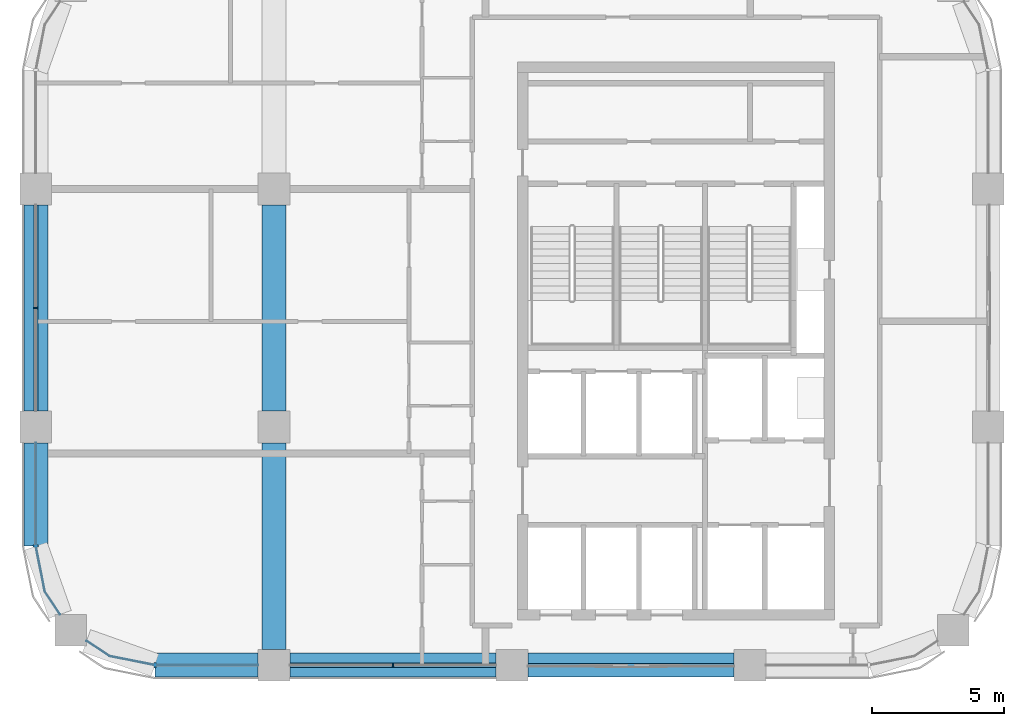
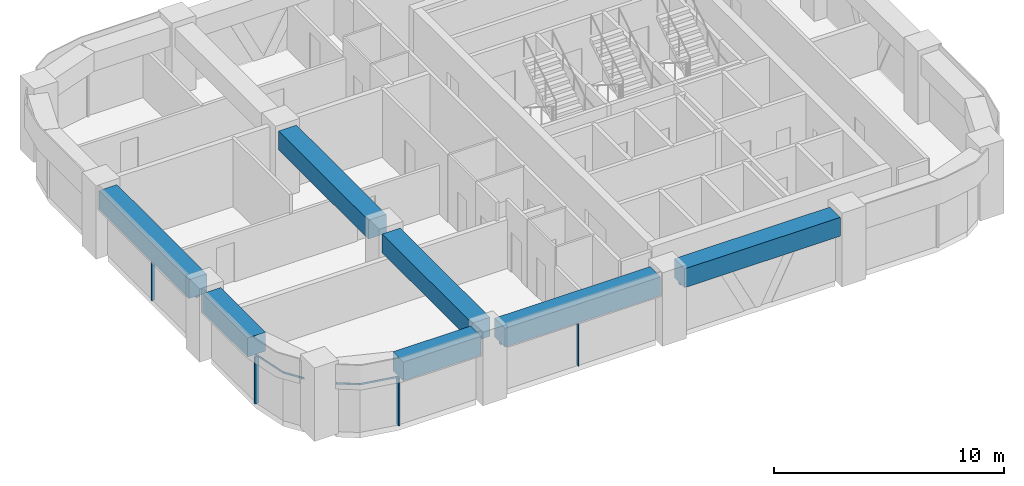
# One storey, part 2 of 10: 9 members, 7 beams, 5 elements without a shape of their own.
"""IFC4 building model written with IfcOpenShell, lengths in metres."""

import ifcopenshell
import ifcopenshell.guid

model = None  # the IFC model being written
_history = None  # IfcOwnerHistory: only IFC2X3 demands one
_inside = {}  # id of a spatial element -> (the spatial element, [elements in it])
_under = {}  # id of a project, library or spatial element -> (it, [spatial elements below it])
_declared = {}  # id of a project -> (the project, [libraries it declares])
_typed = {}  # id of a type object -> (the type object, [elements of that type])
_made_of = {}  # id of a material, layer set ... -> (it, [elements and type objects made of it])


def new_model(schema):
    """Start an empty IFC model of exactly this schema.

    Asked for "IFC4X3", IfcOpenShell would pick the latest addendum, in which some entities
    have other attributes; the version numbers below select the first issue.
    IFC2X3 requires an IfcOwnerHistory on every rooted entity: one is made here for all.
    """
    global model, _history
    if schema == "IFC4X3":
        model = ifcopenshell.file(schema_version=(4, 3, 0, 0))
    else:
        model = ifcopenshell.file(schema=schema)
    _inside.clear()
    _under.clear()
    _declared.clear()
    _typed.clear()
    _made_of.clear()
    _history = None
    if model.schema == "IFC2X3":
        org = make("IfcOrganization", Name="unknown")
        user = make(
            "IfcPersonAndOrganization",
            ThePerson=make("IfcPerson", FamilyName="unknown"),
            TheOrganization=org,
        )
        app = make(
            "IfcApplication",
            ApplicationDeveloper=org,
            Version="unknown",
            ApplicationFullName="unknown",
            ApplicationIdentifier="unknown",
        )
        _history = make(
            "IfcOwnerHistory",
            OwningUser=user,
            OwningApplication=app,
            ChangeAction="ADDED",
            CreationDate=0,
        )
    return model


def make(cls, **values):
    """One entity of the class cls with the attributes given. An attribute that is None is left unset."""
    return model.create_entity(
        cls, **{name: value for name, value in values.items() if value is not None}
    )


def rooted(cls, **values):
    """An entity with a GlobalId (a new one), such as an element, a storey or a relation."""
    return make(cls, GlobalId=ifcopenshell.guid.new(), OwnerHistory=_history, **values)


def si_unit(unit_type, name, prefix=None):
    """IfcSIUnit, for example si_unit("LENGTHUNIT", "METRE", prefix="MILLI")."""
    return make("IfcSIUnit", UnitType=unit_type, Prefix=prefix, Name=name)


def assignment(units):
    """IfcUnitAssignment: the units of a project."""
    return None if units is None else make("IfcUnitAssignment", Units=units)


def point(xyz):
    """IfcCartesianPoint."""
    return None if xyz is None else make("IfcCartesianPoint", Coordinates=xyz)


def direction(xyz):
    """IfcDirection."""
    return None if xyz is None else make("IfcDirection", DirectionRatios=xyz)


def frame(location, z_axis=None, x_axis=None):
    """IfcAxis2Placement3D, a coordinate frame: its origin and axes. An axis left out is left unset."""
    return make(
        "IfcAxis2Placement3D",
        Location=point(location),
        Axis=direction(z_axis),
        RefDirection=direction(x_axis),
    )


def frame_2d(location, x_axis=None):
    """IfcAxis2Placement2D, a coordinate frame in the plane: its origin and x axis."""
    return make(
        "IfcAxis2Placement2D", Location=point(location), RefDirection=direction(x_axis)
    )


def origin():
    """The frame at (0, 0, 0) with its axes left unset."""
    return frame((0.0, 0.0, 0.0))


def origin_2d():
    """The frame at (0, 0) in the plane with its x axis left unset."""
    return frame_2d((0.0, 0.0))


def place(relative_to, where):
    """IfcLocalPlacement: puts the frame where relative to a parent placement (None: the world)."""
    return make(
        "IfcLocalPlacement", PlacementRelTo=relative_to, RelativePlacement=where
    )


def context(
    kind, dimensions, precision=None, world=None, true_north=None, identifier=None
):
    """IfcGeometricRepresentationContext, for example the 3D "Model" context."""
    return make(
        "IfcGeometricRepresentationContext",
        ContextIdentifier=identifier,
        ContextType=kind,
        CoordinateSpaceDimension=dimensions,
        Precision=precision,
        WorldCoordinateSystem=world,
        TrueNorth=true_north,
    )


def subcontext(parent, identifier, kind, view, scale=None):
    """IfcGeometricRepresentationSubContext, for example "Body" below "Model"."""
    return make(
        "IfcGeometricRepresentationSubContext",
        ContextIdentifier=identifier,
        ContextType=kind,
        ParentContext=parent,
        TargetScale=scale,
        TargetView=view,
    )


def project(units=None, contexts=None):
    """IfcProject with its units and contexts."""
    return rooted(
        "IfcProject",
        Name="project",
        RepresentationContexts=contexts,
        UnitsInContext=assignment(units),
    )


def spatial(cls, under=None, at=None, **own):
    """A site, building, storey or space (cls), placed at a placement, below another one or the project."""
    s = rooted(cls, ObjectPlacement=at, **own)
    if under is not None:
        _under.setdefault(under.id(), (under, []))[1].append(s)
    return s


def polyline(points):
    """IfcPolyline through the points."""
    return make("IfcPolyline", Points=[point(p) for p in points])


def profile(cls, at=None, kind="AREA", **sizes):
    """A parametric profile (cls). Its sizes go by their IFC names, for example OverallWidth=200.0."""
    return make(cls, ProfileType=kind, Position=at, **sizes)


def rectangle(**sizes):
    """IfcRectangleProfileDef."""
    return profile("IfcRectangleProfileDef", **sizes)


def outline(outer, holes=None, kind="AREA"):
    """IfcArbitraryClosedProfileDef: a profile drawn as a closed curve; with holes, ...WithVoids."""
    if holes is None:
        return make("IfcArbitraryClosedProfileDef", ProfileType=kind, OuterCurve=outer)
    return make(
        "IfcArbitraryProfileDefWithVoids",
        ProfileType=kind,
        OuterCurve=outer,
        InnerCurves=holes,
    )


def extrude(swept, where, along, depth):
    """IfcExtrudedAreaSolid: the profile swept, set in the frame where, extruded along a direction by depth."""
    return make(
        "IfcExtrudedAreaSolid",
        SweptArea=swept,
        Position=where,
        ExtrudedDirection=direction(along),
        Depth=depth,
    )


def shape(context_of_items, identifier, shape_type, items):
    """IfcShapeRepresentation: the items that make up one representation, for example the "Body"."""
    return make(
        "IfcShapeRepresentation",
        ContextOfItems=context_of_items,
        RepresentationIdentifier=identifier,
        RepresentationType=shape_type,
        Items=items,
    )


def material(Name=None, Category=None):
    """IfcMaterial."""
    return make("IfcMaterial", Name=Name, Category=Category)


def material_profile(
    of_material, cross_section, Name=None, Category=None, Priority=None
):
    """IfcMaterialProfile: a cross section and its material."""
    return make(
        "IfcMaterialProfile",
        Name=Name,
        Material=of_material,
        Profile=cross_section,
        Priority=Priority,
        Category=Category,
    )


def profile_set(profiles, Name=None, composite=None):
    """IfcMaterialProfileSet."""
    return make(
        "IfcMaterialProfileSet",
        Name=Name,
        MaterialProfiles=profiles,
        CompositeProfile=composite,
    )


def made_of(thing, what):
    """Note that an element or type object is made of a material, layer set ...; save() writes the relation."""
    if what is not None:
        _made_of.setdefault(what.id(), (what, []))[1].append(thing)
    return thing


def type_object(cls, material=None, **own):
    """A type object (cls), such as IfcWallType, which elements share."""
    return made_of(rooted(cls, **own), material)


def element(
    cls,
    number,
    at=None,
    inside=None,
    cuts=None,
    type_object=None,
    material=None,
    context=None,
    identifier="Body",
    shape_type=None,
    held_by="IfcProductDefinitionShape",
    body=None,
    shapes=None,
    **own,
):
    """One element of the class cls, such as IfcWall. Its Tag is "e" and its number.

    at: its placement. inside: the storey or other place that contains it. cuts: it is an
    opening in that element (IfcRelVoidsElement). A single representation is given by context,
    identifier, shape_type and body (its items); several are given by shapes. held_by: the class
    of the entity that holds the representations. save() writes the other relations.
    """
    e = rooted(cls, Tag="e%d" % number, ObjectPlacement=at, **own)
    if body is not None:
        shapes = [shape(context, identifier, shape_type, body)]
    if shapes is not None:
        e.Representation = make(held_by, Representations=shapes)
    if inside is not None:
        _inside.setdefault(inside.id(), (inside, []))[1].append(e)
    if cuts is not None:
        rooted(
            "IfcRelVoidsElement", RelatingBuildingElement=cuts, RelatedOpeningElement=e
        )
    if type_object is not None:
        _typed.setdefault(type_object.id(), (type_object, []))[1].append(e)
    return made_of(e, material)


def aggregate(whole, parts):
    """IfcRelAggregates: a whole, such as a stair, and the parts it consists of."""
    return rooted("IfcRelAggregates", RelatingObject=whole, RelatedObjects=parts)


def save(model, path):
    """Write the relations noted so far, then the file.

    IfcRelAggregates (storeys below a building ...), IfcRelContainedInSpatialStructure (elements
    in a storey), IfcRelDefinesByType, IfcRelAssociatesMaterial and IfcRelDeclares: one each for
    every whole, place, type object, material and project.
    """
    for whole, parts in _under.values():
        aggregate(whole, parts)
    for where, things in _inside.values():
        rooted(
            "IfcRelContainedInSpatialStructure",
            RelatedElements=things,
            RelatingStructure=where,
        )
    for kind, things in _typed.values():
        rooted("IfcRelDefinesByType", RelatedObjects=things, RelatingType=kind)
    for what, things in _made_of.values():
        rooted("IfcRelAssociatesMaterial", RelatedObjects=things, RelatingMaterial=what)
    for by, libraries in _declared.values():
        rooted("IfcRelDeclares", RelatingContext=by, RelatedDefinitions=libraries)
    model.write(path)


model = new_model("IFC4")

# Units and contexts
model_context = context("Model", 3, precision=1e-05, world=origin(), true_north=direction((0.0, 1.0)))
body_context = subcontext(model_context, "Body", "Model", "MODEL_VIEW")
ifc_project = project(units=[si_unit("LENGTHUNIT", "METRE"), si_unit("AREAUNIT", "SQUARE_METRE"), si_unit("VOLUMEUNIT", "CUBIC_METRE"), si_unit("PLANEANGLEUNIT", "RADIAN"), si_unit("MASSUNIT", "GRAM", prefix="KILO")], contexts=[model_context])

# Site, building, storey
site_placement = place(None, origin())
site = spatial("IfcSite", under=ifc_project, at=site_placement, CompositionType="ELEMENT")
building_placement = place(site_placement, origin())
building = spatial("IfcBuilding", under=site, at=building_placement, Name="Tessera Arch", CompositionType="ELEMENT")
storey_placement = place(building_placement, frame((0.0, 0.0, 242.300048828125)))
storey = spatial("IfcBuildingStorey", under=building, at=storey_placement, Name="L58", CompositionType="ELEMENT", Elevation=242.300048828125)

# Curtain wall, member
ifc_material_1 = material(Name="CW1 curtain wall")
curtain_wall_type_1 = type_object("IfcCurtainWallType", Name="CW1 curtain wall", PredefinedType="NOTDEFINED", material=ifc_material_1)
curtain_wall_1_placement = place(storey_placement, origin())
curtain_wall_1 = element("IfcCurtainWall", 1, at=curtain_wall_1_placement, inside=storey, type_object=curtain_wall_type_1, Name="CW1 curtain wall W18.27/1 L58", PredefinedType="NOTDEFINED")
ifc_material_2 = material(Name="Anodised aluminium pale metal", Category="aluminium")
ifc_material_profile_1 = material_profile(ifc_material_2, rectangle(XDim=0.159912109375, YDim=0.06005859375, at=origin_2d()), Name="AL 60x160")
ifc_profile_set_1 = profile_set([ifc_material_profile_1], Name="Anodised aluminium pale metal")
member_type_1 = type_object("IfcMemberType", Name="CW1 mullion", PredefinedType="MULLION", material=ifc_profile_set_1)
member_1_placement = place(storey_placement, frame((18.0, 40.5, 0.0), z_axis=(0.0, 0.0, 1.0), x_axis=(1.0, 0.0, 0.0)))
member_1 = element("IfcMember", 2, at=member_1_placement, type_object=member_type_1, Name="CW1 mullion W18.27/1 1", PredefinedType="MULLION", context=body_context, shape_type="SweptSolid", body=[
    extrude(rectangle(XDim=0.159912109375, YDim=0.06005859375, at=origin_2d()), origin(), (0.0, 0.0, 1.0), 2.5),
])

curtain_wall_2_placement = place(storey_placement, origin())
curtain_wall_2 = element("IfcCurtainWall", 3, at=curtain_wall_2_placement, inside=storey, type_object=curtain_wall_type_1, Name="CW1 curtain wall S27.18/1 L58", PredefinedType="NOTDEFINED")
member_2_placement = place(storey_placement, frame((31.5, 27.0, 0.0), z_axis=(0.0, 0.0, 1.0), x_axis=(0.0, 1.0, 0.0)))
member_2 = element("IfcMember", 4, at=member_2_placement, type_object=member_type_1, Name="CW1 mullion S27.18/1 1", PredefinedType="MULLION", context=body_context, shape_type="SweptSolid", body=[
    extrude(rectangle(XDim=0.159912109375, YDim=0.06005859375, at=origin_2d()), origin(), (0.0, 0.0, 1.0), 2.5),
])

# Member
ifc_material_3 = material(Name="Anodised aluminium pale metal", Category="aluminium")
ifc_material_profile_2 = material_profile(ifc_material_3, rectangle(XDim=0.159912109375, YDim=0.10009765625, at=origin_2d()), Name="AL 160x100")
ifc_profile_set_2 = profile_set([ifc_material_profile_2], Name="Anodised aluminium pale metal")
member_type_2 = type_object("IfcMemberType", Name="CW1 transom", PredefinedType="USERDEFINED", material=ifc_profile_set_2)
member_3_placement = place(storey_placement, frame((18.0, 44.39990234375, 2.550048828125), z_axis=(0.0, -1.0, 0.0), x_axis=(1.0, 0.0, 0.0)))
member_3 = element("IfcMember", 5, at=member_3_placement, type_object=member_type_2, Name="CW1 transom W18.27/1 1.1", ObjectType="TRANSOM", PredefinedType="USERDEFINED", context=body_context, shape_type="SweptSolid", body=[
    extrude(rectangle(XDim=0.159912109375, YDim=0.10009765625, at=origin_2d()), origin(), (0.0, 0.0, 1.0), 7.7998046875),
])

aggregate(curtain_wall_1, [member_1, member_3])

member_4_placement = place(storey_placement, frame((27.60009765625, 27.0, 2.550048828125), z_axis=(1.0, 0.0, 0.0), x_axis=(0.0, 1.0, 0.0)))
member_4 = element("IfcMember", 6, at=member_4_placement, type_object=member_type_2, Name="CW1 transom S27.18/1 1.1", ObjectType="TRANSOM", PredefinedType="USERDEFINED", context=body_context, shape_type="SweptSolid", body=[
    extrude(rectangle(XDim=0.159912109375, YDim=0.10009765625, at=origin_2d()), origin(), (0.0, 0.0, 1.0), 7.7998046875),
])

aggregate(curtain_wall_2, [member_2, member_4])

# Curtain wall, member
ifc_material_4 = material(Name="CW2 curtain wall")
curtain_wall_type_2 = type_object("IfcCurtainWallType", Name="CW2 curtain wall", PredefinedType="NOTDEFINED", material=ifc_material_4)
curtain_wall_3_placement = place(storey_placement, origin())
curtain_wall_3 = element("IfcCurtainWall", 7, at=curtain_wall_3_placement, inside=storey, type_object=curtain_wall_type_2, Name="CW2 curtain wall W18.27/2 L58", PredefinedType="NOTDEFINED")
ifc_material_5 = material(Name="Anodised aluminium pale metal", Category="aluminium")
ifc_material_profile_3 = material_profile(ifc_material_5, rectangle(XDim=0.199951171875, YDim=0.080078125, at=origin_2d()), Name="AL 80x200")
ifc_profile_set_3 = profile_set([ifc_material_profile_3], Name="Anodised aluminium pale metal")
member_type_3 = type_object("IfcMemberType", Name="CW2 mullion", PredefinedType="MULLION", material=ifc_profile_set_3)
member_5_placement = place(storey_placement, frame((18.0, 31.5, 0.0), z_axis=(0.0, 0.0, 1.0), x_axis=(1.0, 0.0, 0.0)))
member_5 = element("IfcMember", 8, at=member_5_placement, type_object=member_type_3, Name="CW2 mullion W18.27/2 1", PredefinedType="MULLION", context=body_context, shape_type="SweptSolid", body=[
    extrude(rectangle(XDim=0.199951171875, YDim=0.080078125, at=origin_2d()), origin(), (0.0, 0.0, 1.0), 2.5),
])

curtain_wall_4_placement = place(storey_placement, origin())
curtain_wall_4 = element("IfcCurtainWall", 9, at=curtain_wall_4_placement, inside=storey, type_object=curtain_wall_type_2, Name="CW2 curtain wall S27.18/0 L58", PredefinedType="NOTDEFINED")
member_6_placement = place(storey_placement, frame((22.5, 27.0, 0.0), z_axis=(0.0, 0.0, 1.0), x_axis=(0.0, 1.0, 0.0)))
member_6 = element("IfcMember", 10, at=member_6_placement, type_object=member_type_3, Name="CW2 mullion S27.18/0 1", PredefinedType="MULLION", context=body_context, shape_type="SweptSolid", body=[
    extrude(rectangle(XDim=0.199951171875, YDim=0.080078125, at=origin_2d()), origin(), (0.0, 0.0, 1.0), 2.5),
])

# Member
ifc_material_6 = material(Name="Anodised aluminium pale metal", Category="aluminium")
ifc_material_profile_4 = material_profile(ifc_material_6, rectangle(XDim=0.199951171875, YDim=0.10009765625, at=origin_2d()), Name="AL 200x100")
ifc_profile_set_4 = profile_set([ifc_material_profile_4], Name="Anodised aluminium pale metal")
member_type_4 = type_object("IfcMemberType", Name="CW2 transom", PredefinedType="USERDEFINED", material=ifc_profile_set_4)
member_7_placement = place(storey_placement, frame((0.0, 0.0, 2.5)))
member_7 = element("IfcMember", 11, at=member_7_placement, type_object=member_type_4, Name="CW2 transom W18.27/2 1", ObjectType="TRANSOM", PredefinedType="USERDEFINED", context=body_context, shape_type="SweptSolid", body=[
    extrude(outline(polyline([(18.010009765625, 31.5009765625), (18.010009765625, 35.39990234375), (17.989990234375, 35.39990234375), (17.989990234375, 31.4990234375), (18.3330078125, 29.77392578125), (18.90869140625, 28.912353515625), (18.92529296875, 28.923583984375), (18.351806640625, 29.78173828125), (18.010009765625, 31.5009765625)])), origin(), (0.0, 0.0, 1.0), 0.099853515625),
])

aggregate(curtain_wall_3, [member_5, member_7])

member_8_placement = place(storey_placement, frame((0.0, 0.0, 2.5)))
member_8 = element("IfcMember", 12, at=member_8_placement, type_object=member_type_4, Name="CW2 transom S27.18/0 1", ObjectType="TRANSOM", PredefinedType="USERDEFINED", context=body_context, shape_type="SweptSolid", body=[
    extrude(outline(polyline([(20.78173828125, 27.351806640625), (19.923583984375, 27.92529296875), (19.912353515625, 27.90869140625), (20.77392578125, 27.3330078125), (22.4990234375, 26.989990234375), (26.39990234375, 26.989990234375), (26.39990234375, 27.010009765625), (22.5009765625, 27.010009765625), (20.78173828125, 27.351806640625)])), origin(), (0.0, 0.0, 1.0), 0.099853515625),
])

aggregate(curtain_wall_4, [member_6, member_8])

# Curtain wall, member
ifc_material_7 = material(Name="CW3 curtain wall")
curtain_wall_type_3 = type_object("IfcCurtainWallType", Name="CW3 curtain wall", PredefinedType="NOTDEFINED", material=ifc_material_7)
curtain_wall_5_placement = place(storey_placement, origin())
curtain_wall_5 = element("IfcCurtainWall", 13, at=curtain_wall_5_placement, inside=storey, type_object=curtain_wall_type_3, Name="CW3 curtain wall S27.18/2 L58", PredefinedType="NOTDEFINED")
ifc_material_8 = material(Name="Anodised aluminium pale metal", Category="aluminium")
ifc_material_profile_5 = material_profile(ifc_material_8, rectangle(XDim=0.139892578125, YDim=0.10009765625, at=origin_2d()), Name="AL 140x100")
ifc_profile_set_5 = profile_set([ifc_material_profile_5], Name="Anodised aluminium pale metal")
member_type_5 = type_object("IfcMemberType", Name="CW3 transom", PredefinedType="USERDEFINED", material=ifc_profile_set_5)
member_9_placement = place(storey_placement, frame((36.60009765625, 27.0, 2.550048828125), z_axis=(1.0, 0.0, 0.0), x_axis=(0.0, 1.0, 0.0)))
member_9 = element("IfcMember", 14, at=member_9_placement, type_object=member_type_5, Name="CW3 transom S27.18/2 1.1", ObjectType="TRANSOM", PredefinedType="USERDEFINED", context=body_context, shape_type="SweptSolid", body=[
    extrude(rectangle(XDim=0.139892578125, YDim=0.10009765625, at=origin_2d()), origin(), (0.0, 0.0, 1.0), 7.7998046875),
])
aggregate(curtain_wall_5, [member_9])

# Beams
ifc_material_9 = material(Name="Concrete C60/75", Category="concrete")
ifc_material_profile_6 = material_profile(ifc_material_9, rectangle(XDim=0.89990234375, YDim=1.0, at=origin_2d()), Name="RC spandrel beam 900 x 1000 Concrete C60/75")
ifc_profile_set_6 = profile_set([ifc_material_profile_6], Name="Concrete C60/75")
beam_type = type_object("IfcBeamType", Name="RC spandrel beam 900 x 1000 Concrete C60/75", PredefinedType="BEAM", material=ifc_profile_set_6)
beam_placement = place(storey_placement, frame((18.0, 44.39990234375, 3.099853515625), z_axis=(0.0, -1.0, 0.0), x_axis=(1.0, 0.0, 0.0)))
element("IfcBeam", 15, at=beam_placement, inside=storey, type_object=beam_type, Name="Spandrel beam L58 W18.27/1", PredefinedType="BEAM", context=body_context, shape_type="SweptSolid", body=[
    extrude(rectangle(XDim=0.89990234375, YDim=1.0, at=origin_2d()), origin(), (0.0, 0.0, 1.0), 7.7998046875),
])
for number, where, z_axis, x_axis, name in (
    (16, (18.0, 35.39990234375, 3.099853515625), (0.0, -1.0, 0.0), (1.0, 0.0, 0.0), "Spandrel beam L58 W18.27/2.1"),
    (17, (22.5, 27.0, 3.099853515625), (1.0, 0.0, 0.0), (0.0, 1.0, 0.0), "Spandrel beam L58 S27.18/0.2"),
):
    element("IfcBeam", number, at=place(storey_placement, frame(where, z_axis=z_axis, x_axis=x_axis)), inside=storey, type_object=beam_type, Name=name, PredefinedType="BEAM", context=body_context, shape_type="SweptSolid", body=[
        extrude(rectangle(XDim=0.89990234375, YDim=1.0, at=origin_2d()), origin(), (0.0, 0.0, 1.0), 3.89990234375),
    ])
for number, where, z_axis, x_axis, name in (
    (18, (27.60009765625, 27.0, 3.099853515625), (1.0, 0.0, 0.0), (0.0, 1.0, 0.0), "Spandrel beam L58 S27.18/1"),
    (19, (36.60009765625, 27.0, 3.099853515625), (1.0, 0.0, 0.0), (0.0, 1.0, 0.0), "Spandrel beam L58 S27.18/2"),
    (20, (27.0, 27.60009765625, 3.099853515625), (0.0, 1.0, 0.0), (-1.0, 0.0, 0.0), "Interface beam L58 I0C4D-C4E"),
    (21, (27.0, 36.60009765625, 3.099853515625), (0.0, 1.0, 0.0), (-1.0, 0.0, 0.0), "Interface beam L58 I0C4E-C4F"),
):
    element("IfcBeam", number, at=place(storey_placement, frame(where, z_axis=z_axis, x_axis=x_axis)), inside=storey, type_object=beam_type, Name=name, PredefinedType="BEAM", context=body_context, shape_type="SweptSolid", body=[
        extrude(rectangle(XDim=0.89990234375, YDim=1.0, at=origin_2d()), origin(), (0.0, 0.0, 1.0), 7.7998046875),
    ])

save(model, "model.ifc")
